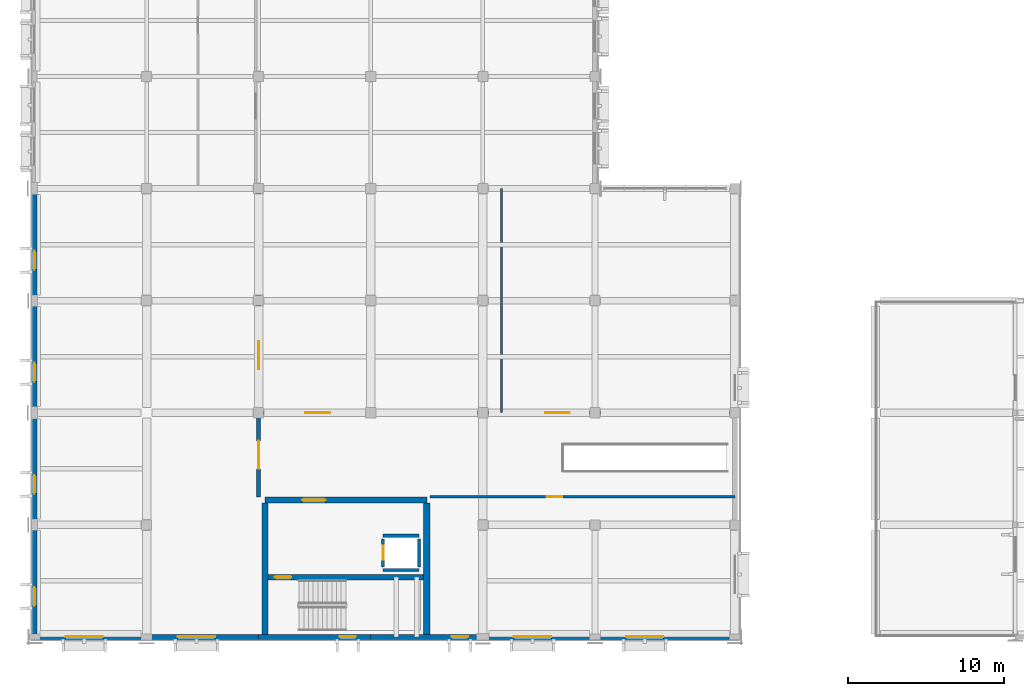
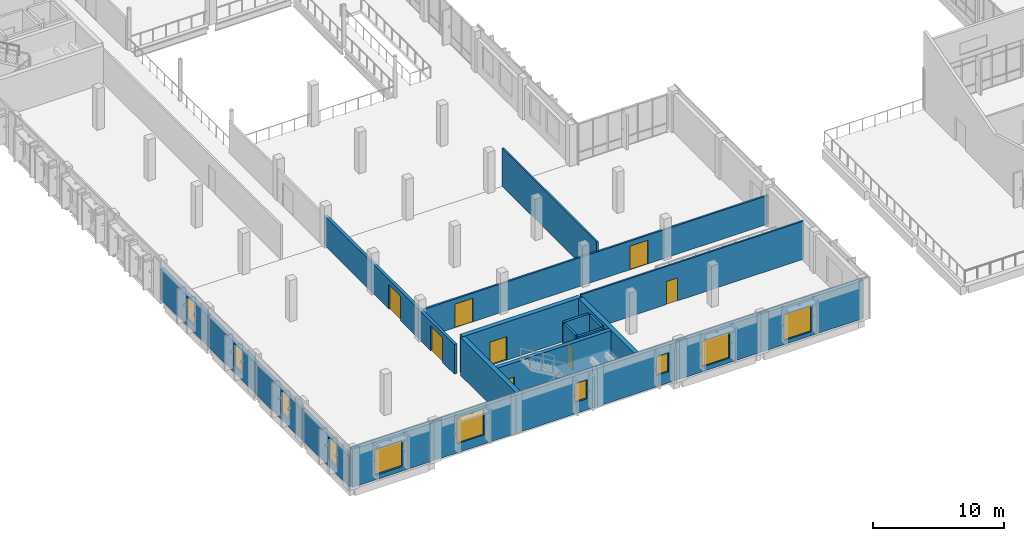
# One storey, part 54 of 85: 22 walls, 10 windows, 8 doors, 18 openings.
"""IFC4 building model written with IfcOpenShell, lengths in metres."""

from ifc_helpers import new_model, si_unit, direction, frame, frame_2d, origin, origin_with_axes, place, context, subcontext, project, spatial, rectangle, extrude, material, layer, layer_set, type_object, element, fill, save


model = new_model("IFC4")

# Units and contexts
model_context = context("Model", 3, precision=1e-05, world=origin(), true_north=direction((0.0, 1.0)))
body_context = subcontext(model_context, "Body", "Model", "MODEL_VIEW")
ifc_project = project(units=[si_unit("LENGTHUNIT", "METRE"), si_unit("AREAUNIT", "SQUARE_METRE"), si_unit("VOLUMEUNIT", "CUBIC_METRE"), si_unit("PLANEANGLEUNIT", "RADIAN"), si_unit("MASSUNIT", "GRAM", prefix="KILO")], contexts=[model_context])

# Site, building, storey
site_placement = place(None, origin())
site = spatial("IfcSite", under=ifc_project, at=site_placement, CompositionType="ELEMENT")
building_placement = place(site_placement, origin())
building = spatial("IfcBuilding", under=site, at=building_placement, Name="Vervanel Yard Central Library", CompositionType="ELEMENT")
storey_placement = place(building_placement, frame((0.0, 0.0, 5.10009765625)))
storey = spatial("IfcBuildingStorey", under=building, at=storey_placement, Name="L01", CompositionType="ELEMENT", Elevation=5.10009765625)

# Wall, openings, doors
ifc_material_1 = material(Name="Concrete C40/50", Category="concrete")
ifc_layer_1 = layer(ifc_material_1, 0.25, Category="concrete")
ifc_layer_set_1 = layer_set([ifc_layer_1], Name="Concrete C40/50")
wall_type_1 = type_object("IfcWallType", Name="Acoustic Auditorium Wall 250", PredefinedType="PARTITIONING", material=ifc_layer_set_1)
wall_1_placement = place(storey_placement, frame((14.39990234375, 9.0, 0.0), z_axis=(0.0, 0.0, 1.0), x_axis=(0.0, 1.0, 0.0)))
wall_1 = element("IfcWall", 1, at=wall_1_placement, inside=storey, type_object=wall_type_1, Name="L01 Acoustic Auditorium Wall 250 IPART-L01-0067", PredefinedType="PARTITIONING", context=body_context, shape_type="SweptSolid", body=[
    extrude(rectangle(XDim=19.800048828125, YDim=0.25, at=frame_2d((9.89990234375, 0.0))), origin(), (0.0, 0.0, 1.0), 2.7548828125),
])
opening_1_placement = place(wall_1_placement, frame((1.800048828125, 0.0, 0.0)))
opening_1 = element("IfcOpeningElement", 2, at=opening_1_placement, cuts=wall_1, Name="Opening DR-05", PredefinedType="OPENING", context=body_context, shape_type="SweptSolid", body=[
    extrude(rectangle(XDim=1.800048828125, YDim=2.300048828125, at=frame_2d((0.89990234375, 1.14990234375))), frame((0.0, 0.135009765625, 0.0), z_axis=(0.0, -1.0, 0.0), x_axis=(1.0, 0.0, 0.0)), (0.0, 0.0, 1.0), 0.27001953125),
])
opening_2_placement = place(wall_1_placement, frame((8.199951171875, 0.0, 0.0)))
opening_2 = element("IfcOpeningElement", 3, at=opening_2_placement, cuts=wall_1, Name="Opening DR-05", PredefinedType="OPENING", context=body_context, shape_type="SweptSolid", body=[
    extrude(rectangle(XDim=1.800048828125, YDim=2.300048828125, at=frame_2d((0.89990234375, 1.14990234375))), frame((0.0, 0.135009765625, 0.0), z_axis=(0.0, -1.0, 0.0), x_axis=(1.0, 0.0, 0.0)), (0.0, 0.0, 1.0), 0.27001953125),
])
ifc_material_2 = material(Name="Solid white oak acoustic joinery", Category="wood")
door_type_1 = type_object("IfcDoorType", Name="Acoustic Auditorium Double Door 1800x2300", OperationType="NOTDEFINED", PredefinedType="DOOR", material=ifc_material_2)
door_1_placement = place(opening_1_placement, origin())
door_1 = element("IfcDoor", 4, at=door_1_placement, inside=storey, type_object=door_type_1, Name="L01 Acoustic Auditorium Double Door 1800x2300 IDOOR-L01-0053", OperationType="DOUBLE_DOOR_SINGLE_SWING", OverallHeight=2.300048828125, OverallWidth=1.800048828125, PredefinedType="DOOR", context=body_context, shape_type="SweptSolid", body=[
    extrude(rectangle(XDim=1.800048828125, YDim=2.300048828125, at=frame_2d((0.89990234375, 1.14990234375))), frame((0.0, 0.02490234375, 0.0), z_axis=(0.0, -1.0, 0.0), x_axis=(1.0, 0.0, 0.0)), (0.0, 0.0, 1.0), 0.050048828125),
])
fill(opening_1, door_1)
door_2_placement = place(opening_2_placement, origin())
door_2 = element("IfcDoor", 5, at=door_2_placement, inside=storey, type_object=door_type_1, Name="L01 Acoustic Auditorium Double Door 1800x2300 IDOOR-L01-0054", OperationType="DOUBLE_DOOR_SINGLE_SWING", OverallHeight=2.300048828125, OverallWidth=1.800048828125, PredefinedType="DOOR", context=body_context, shape_type="SweptSolid", body=[
    extrude(rectangle(XDim=1.800048828125, YDim=2.300048828125, at=frame_2d((0.89990234375, 1.14990234375))), frame((0.0, 0.02490234375, 0.0), z_axis=(0.0, -1.0, 0.0), x_axis=(1.0, 0.0, 0.0)), (0.0, 0.0, 1.0), 0.050048828125),
])
fill(opening_2, door_2)

ifc_material_3 = material(Name="Fire-rated gypsum board on steel studs", Category="steel")
ifc_layer_2 = layer(ifc_material_3, 0.159912109375, Category="steel")
ifc_layer_set_2 = layer_set([ifc_layer_2], Name="Fire-rated gypsum board on steel studs")
wall_type_2 = type_object("IfcWallType", Name="Acoustic Glazed Partition 160", PredefinedType="PARTITIONING", material=ifc_layer_set_2)
wall_2_placement = place(storey_placement, frame((14.60009765625, 14.39990234375, 0.0), z_axis=(0.0, 0.0, 1.0), x_axis=(1.0, 0.0, 0.0)))
wall_2 = element("IfcWall", 6, at=wall_2_placement, inside=storey, type_object=wall_type_2, Name="L01 Acoustic Glazed Partition 160 IPART-L01-0068", PredefinedType="PARTITIONING", context=body_context, shape_type="SweptSolid", body=[
    extrude(rectangle(XDim=30.39990234375, YDim=0.159912109375, at=frame_2d((15.199951171875, 0.0))), origin(), (0.0, 0.0, 1.0), 2.6748046875),
])
opening_3_placement = place(wall_2_placement, frame((2.800048828125, 0.0, 0.0)))
opening_3 = element("IfcOpeningElement", 7, at=opening_3_placement, cuts=wall_2, Name="Opening DR-04", PredefinedType="OPENING", context=body_context, shape_type="SweptSolid", body=[
    extrude(rectangle(XDim=1.60009765625, YDim=2.199951171875, at=frame_2d((0.800048828125, 1.10009765625))), frame((0.0, 0.08984375, 0.0), z_axis=(0.0, -1.0, 0.0), x_axis=(1.0, 0.0, 0.0)), (0.0, 0.0, 1.0), 0.179931640625),
])
opening_4_placement = place(wall_2_placement, frame((18.199951171875, 0.0, 0.0)))
opening_4 = element("IfcOpeningElement", 8, at=opening_4_placement, cuts=wall_2, Name="Opening DR-04", PredefinedType="OPENING", context=body_context, shape_type="SweptSolid", body=[
    extrude(rectangle(XDim=1.60009765625, YDim=2.199951171875, at=frame_2d((0.800048828125, 1.10009765625))), frame((0.0, 0.08984375, 0.0), z_axis=(0.0, -1.0, 0.0), x_axis=(1.0, 0.0, 0.0)), (0.0, 0.0, 1.0), 0.179931640625),
])
door_type_2 = type_object("IfcDoorType", Name="Interior Double Reading Door 1600x2200", OperationType="NOTDEFINED", PredefinedType="DOOR", material=ifc_material_2)
door_3_placement = place(opening_3_placement, origin())
door_3 = element("IfcDoor", 9, at=door_3_placement, inside=storey, type_object=door_type_2, Name="L01 Interior Double Reading Door 1600x2200 IDOOR-L01-0055", OperationType="DOUBLE_DOOR_SINGLE_SWING", OverallHeight=2.199951171875, OverallWidth=1.60009765625, PredefinedType="DOOR", context=body_context, shape_type="SweptSolid", body=[
    extrude(rectangle(XDim=1.60009765625, YDim=2.199951171875, at=frame_2d((0.800048828125, 1.10009765625))), frame((0.0, 0.02490234375, 0.0), z_axis=(0.0, -1.0, 0.0), x_axis=(1.0, 0.0, 0.0)), (0.0, 0.0, 1.0), 0.050048828125),
])
fill(opening_3, door_3)
door_4_placement = place(opening_4_placement, origin())
door_4 = element("IfcDoor", 10, at=door_4_placement, inside=storey, type_object=door_type_2, Name="L01 Interior Double Reading Door 1600x2200 IDOOR-L01-0056", OperationType="DOUBLE_DOOR_SINGLE_SWING", OverallHeight=2.199951171875, OverallWidth=1.60009765625, PredefinedType="DOOR", context=body_context, shape_type="SweptSolid", body=[
    extrude(rectangle(XDim=1.60009765625, YDim=2.199951171875, at=frame_2d((0.800048828125, 1.10009765625))), frame((0.0, 0.02490234375, 0.0), z_axis=(0.0, -1.0, 0.0), x_axis=(1.0, 0.0, 0.0)), (0.0, 0.0, 1.0), 0.050048828125),
])
fill(opening_4, door_4)

# Wall, opening, window
ifc_material_4 = material(Name="Precast concrete C45/55", Category="concrete")
ifc_layer_3 = layer(ifc_material_4, 0.300048828125, Category="concrete")
ifc_layer_set_3 = layer_set([ifc_layer_3], Name="Precast concrete C45/55")
wall_type_3 = type_object("IfcWallType", Name="Bush-Hammered Precast Cladding Wall 300", PredefinedType="SOLIDWALL", material=ifc_layer_set_3)
wall_3_placement = place(storey_placement, frame((0.0, 0.0, 0.0), z_axis=(0.0, 0.0, 1.0), x_axis=(0.0, 1.0, 0.0)))
wall_3 = element("IfcWall", 11, at=wall_3_placement, inside=storey, type_object=wall_type_3, Name="L01 Bush-Hammered Precast Cladding Wall 300 EWALL-L01-0228", PredefinedType="SOLIDWALL", context=body_context, shape_type="SweptSolid", body=[
    extrude(rectangle(XDim=7.199951171875, YDim=0.300048828125, at=frame_2d((3.60009765625, 0.0))), origin(), (0.0, 0.0, 1.0), 2.875),
])
opening_5_placement = place(wall_3_placement, frame((2.0, 0.0, 0.655029296875)))
opening_5 = element("IfcOpeningElement", 12, at=opening_5_placement, cuts=wall_3, Name="Opening WN-01", PredefinedType="OPENING", context=body_context, shape_type="SweptSolid", body=[
    extrude(rectangle(XDim=1.199951171875, YDim=2.10009765625, at=frame_2d((0.60009765625, 1.050048828125))), frame((0.0, 0.159912109375, 0.0), z_axis=(0.0, -1.0, 0.0), x_axis=(1.0, 0.0, 0.0)), (0.0, 0.0, 1.0), 0.320068359375),
])
ifc_material_5 = material(Name="Double low-E laminated solar-control glass", Category="glass")
window_type_1 = type_object("IfcWindowType", Name="Reading Slot Window 1200x2100", PartitioningType="SINGLE_PANEL", PredefinedType="WINDOW", material=ifc_material_5)
window_1_placement = place(opening_5_placement, origin())
window_1 = element("IfcWindow", 13, at=window_1_placement, inside=storey, type_object=window_type_1, Name="L01 Reading Slot Window 1200x2100 292", OverallHeight=2.10009765625, OverallWidth=1.199951171875, PartitioningType="SINGLE_PANEL", PredefinedType="WINDOW", context=body_context, shape_type="SweptSolid", body=[
    extrude(rectangle(XDim=1.199951171875, YDim=2.10009765625, at=frame_2d((0.60009765625, 1.050048828125))), frame((0.0, 0.030029296875, 0.0), z_axis=(0.0, -1.0, 0.0), x_axis=(1.0, 0.0, 0.0)), (0.0, 0.0, 1.0), 0.06005859375),
])
fill(opening_5, window_1)

wall_4_placement = place(storey_placement, frame((0.0, 7.199951171875, 0.0), z_axis=(0.0, 0.0, 1.0), x_axis=(0.0, 1.0, 0.0)))
wall_4 = element("IfcWall", 14, at=wall_4_placement, inside=storey, type_object=wall_type_3, Name="L01 Bush-Hammered Precast Cladding Wall 300 EWALL-L01-0229", PredefinedType="SOLIDWALL", context=body_context, shape_type="SweptSolid", body=[
    extrude(rectangle(XDim=7.199951171875, YDim=0.300048828125, at=frame_2d((3.60009765625, 0.0))), origin(), (0.0, 0.0, 1.0), 2.875),
])
opening_6_placement = place(wall_4_placement, frame((2.0, 0.0, 0.655029296875)))
opening_6 = element("IfcOpeningElement", 15, at=opening_6_placement, cuts=wall_4, Name="Opening WN-01", PredefinedType="OPENING", context=body_context, shape_type="SweptSolid", body=[
    extrude(rectangle(XDim=1.199951171875, YDim=2.10009765625, at=frame_2d((0.60009765625, 1.050048828125))), frame((0.0, 0.159912109375, 0.0), z_axis=(0.0, -1.0, 0.0), x_axis=(1.0, 0.0, 0.0)), (0.0, 0.0, 1.0), 0.320068359375),
])
window_2_placement = place(opening_6_placement, origin())
window_2 = element("IfcWindow", 16, at=window_2_placement, inside=storey, type_object=window_type_1, Name="L01 Reading Slot Window 1200x2100 293", OverallHeight=2.10009765625, OverallWidth=1.199951171875, PartitioningType="SINGLE_PANEL", PredefinedType="WINDOW", context=body_context, shape_type="SweptSolid", body=[
    extrude(rectangle(XDim=1.199951171875, YDim=2.10009765625, at=frame_2d((0.60009765625, 1.050048828125))), frame((0.0, 0.030029296875, 0.0), z_axis=(0.0, -1.0, 0.0), x_axis=(1.0, 0.0, 0.0)), (0.0, 0.0, 1.0), 0.06005859375),
])
fill(opening_6, window_2)

wall_5_placement = place(storey_placement, frame((0.0, 14.39990234375, 0.0), z_axis=(0.0, 0.0, 1.0), x_axis=(0.0, 1.0, 0.0)))
wall_5 = element("IfcWall", 17, at=wall_5_placement, inside=storey, type_object=wall_type_3, Name="L01 Bush-Hammered Precast Cladding Wall 300 EWALL-L01-0230", PredefinedType="SOLIDWALL", context=body_context, shape_type="SweptSolid", body=[
    extrude(rectangle(XDim=7.2001953125, YDim=0.300048828125, at=frame_2d((3.60009765625, 0.0))), origin(), (0.0, 0.0, 1.0), 2.875),
])
opening_7_placement = place(wall_5_placement, frame((2.0, 0.0, 0.655029296875)))
opening_7 = element("IfcOpeningElement", 18, at=opening_7_placement, cuts=wall_5, Name="Opening WN-01", PredefinedType="OPENING", context=body_context, shape_type="SweptSolid", body=[
    extrude(rectangle(XDim=1.199951171875, YDim=2.10009765625, at=frame_2d((0.60009765625, 1.050048828125))), frame((0.0, 0.159912109375, 0.0), z_axis=(0.0, -1.0, 0.0), x_axis=(1.0, 0.0, 0.0)), (0.0, 0.0, 1.0), 0.320068359375),
])
window_3_placement = place(opening_7_placement, origin())
window_3 = element("IfcWindow", 19, at=window_3_placement, inside=storey, type_object=window_type_1, Name="L01 Reading Slot Window 1200x2100 294", OverallHeight=2.10009765625, OverallWidth=1.199951171875, PartitioningType="SINGLE_PANEL", PredefinedType="WINDOW", context=body_context, shape_type="SweptSolid", body=[
    extrude(rectangle(XDim=1.199951171875, YDim=2.10009765625, at=frame_2d((0.60009765625, 1.050048828125))), frame((0.0, 0.030029296875, 0.0), z_axis=(0.0, -1.0, 0.0), x_axis=(1.0, 0.0, 0.0)), (0.0, 0.0, 1.0), 0.06005859375),
])
fill(opening_7, window_3)

wall_6_placement = place(storey_placement, frame((0.0, 21.60009765625, 0.0), z_axis=(0.0, 0.0, 1.0), x_axis=(0.0, 1.0, 0.0)))
wall_6 = element("IfcWall", 20, at=wall_6_placement, inside=storey, type_object=wall_type_3, Name="L01 Bush-Hammered Precast Cladding Wall 300 EWALL-L01-0231", PredefinedType="SOLIDWALL", context=body_context, shape_type="SweptSolid", body=[
    extrude(rectangle(XDim=7.199951171875, YDim=0.300048828125, at=frame_2d((3.60009765625, 0.0))), origin(), (0.0, 0.0, 1.0), 2.90478515625),
])
opening_8_placement = place(wall_6_placement, frame((2.0, 0.0, 0.68505859375)))
opening_8 = element("IfcOpeningElement", 21, at=opening_8_placement, cuts=wall_6, Name="Opening WN-01", PredefinedType="OPENING", context=body_context, shape_type="SweptSolid", body=[
    extrude(rectangle(XDim=1.199951171875, YDim=2.10009765625, at=frame_2d((0.60009765625, 1.050048828125))), frame((0.0, 0.159912109375, 0.0), z_axis=(0.0, -1.0, 0.0), x_axis=(1.0, 0.0, 0.0)), (0.0, 0.0, 1.0), 0.320068359375),
])
window_4_placement = place(opening_8_placement, origin())
window_4 = element("IfcWindow", 22, at=window_4_placement, inside=storey, type_object=window_type_1, Name="L01 Reading Slot Window 1200x2100 295", OverallHeight=2.10009765625, OverallWidth=1.199951171875, PartitioningType="SINGLE_PANEL", PredefinedType="WINDOW", context=body_context, shape_type="SweptSolid", body=[
    extrude(rectangle(XDim=1.199951171875, YDim=2.10009765625, at=frame_2d((0.60009765625, 1.050048828125))), frame((0.0, 0.030029296875, 0.0), z_axis=(0.0, -1.0, 0.0), x_axis=(1.0, 0.0, 0.0)), (0.0, 0.0, 1.0), 0.06005859375),
])
fill(opening_8, window_4)

# Wall, opening, door
ifc_material_6 = material(Name="Concrete C45/55", Category="concrete")
ifc_layer_4 = layer(ifc_material_6, 0.39990234375, Category="concrete")
ifc_layer_set_4 = layer_set([ifc_layer_4], Name="Concrete C45/55")
wall_type_4 = type_object("IfcWallType", Name="Core Primary Shear Wall 400", PredefinedType="SHEAR", material=ifc_layer_set_4)
wall_7_placement = place(storey_placement, frame((14.800048828125, 8.800048828125, 0.0), z_axis=(0.0, 0.0, 1.0), x_axis=(1.0, 0.0, 0.0)))
wall_7 = element("IfcWall", 23, at=wall_7_placement, inside=storey, type_object=wall_type_4, Name="L01 CORE-D Shear Wall N", PredefinedType="SHEAR", context=body_context, shape_type="SweptSolid", body=[
    extrude(rectangle(XDim=10.39990234375, YDim=0.39990234375, at=frame_2d((5.199951171875, 0.0))), origin(), (0.0, 0.0, 1.0), 3.5498046875),
])
opening_9_placement = place(wall_7_placement, frame((2.39990234375, 0.0, 0.0)))
opening_9 = element("IfcOpeningElement", 24, at=opening_9_placement, cuts=wall_7, Name="Opening DR-F02", PredefinedType="OPENING", context=body_context, shape_type="SweptSolid", body=[
    extrude(rectangle(XDim=1.5, YDim=2.199951171875, at=frame_2d((0.75, 1.10009765625))), frame((0.0, 0.2099609375, 0.0), z_axis=(0.0, -1.0, 0.0), x_axis=(1.0, 0.0, 0.0)), (0.0, 0.0, 1.0), 0.419921875),
])
ifc_material_7 = material(Name="Galvanized painted steelwork ASTM A500 Grade C", Category="steel")
door_type_3 = type_object("IfcDoorType", Name="Fire-Rated Lobby Door 1500x2200", OperationType="NOTDEFINED", PredefinedType="DOOR", material=ifc_material_7)
door_5_placement = place(opening_9_placement, origin())
door_5 = element("IfcDoor", 25, at=door_5_placement, inside=storey, type_object=door_type_3, Name="L01 CORE-D Lobby Fire Door", OperationType="DOUBLE_DOOR_SINGLE_SWING", OverallHeight=2.199951171875, OverallWidth=1.5, PredefinedType="DOOR", context=body_context, shape_type="SweptSolid", body=[
    extrude(rectangle(XDim=1.5, YDim=2.199951171875, at=frame_2d((0.75, 1.10009765625))), frame((0.0, 0.02490234375, 0.0), z_axis=(0.0, -1.0, 0.0), x_axis=(1.0, 0.0, 0.0)), (0.0, 0.0, 1.0), 0.050048828125),
])
fill(opening_9, door_5)

# Walls
for number, where, z_axis, x_axis, name in (
    (26, (14.800048828125, 0.169921875, 0.0), (0.0, 0.0, 1.0), (0.0, 1.0, 0.0), "L01 CORE-D Shear Wall W"),
    (27, (25.199951171875, 0.169921875, 0.0), (0.0, 0.0, 1.0), (0.0, 1.0, 0.0), "L01 CORE-D Shear Wall E"),
):
    element("IfcWall", number, at=place(storey_placement, frame(where, z_axis=z_axis, x_axis=x_axis)), inside=storey, type_object=wall_type_4, Name=name, PredefinedType="SHEAR", context=body_context, shape_type="SweptSolid", body=[
        extrude(rectangle(XDim=8.43017578125, YDim=0.39990234375, at=frame_2d((4.215087890625, 0.0))), origin(), (0.0, 0.0, 1.0), 3.5498046875),
    ])

# Wall, opening, door
ifc_layer_5 = layer(ifc_material_6, 0.35009765625, Category="concrete")
ifc_layer_set_5 = layer_set([ifc_layer_5], Name="Concrete C45/55")
wall_type_5 = type_object("IfcWallType", Name="Core Secondary Shear Wall 350", PredefinedType="SHEAR", material=ifc_layer_set_5)
wall_8_placement = place(storey_placement, frame((15.0, 3.8349609375, 0.0), z_axis=(0.0, 0.0, 1.0), x_axis=(1.0, 0.0, 0.0)))
wall_8 = element("IfcWall", 28, at=wall_8_placement, inside=storey, type_object=wall_type_5, Name="L01 CORE-D Stair Shaft Wall", PredefinedType="SHEAR", context=body_context, shape_type="SweptSolid", body=[
    extrude(rectangle(XDim=10.0, YDim=0.35009765625, at=frame_2d((5.0, 0.0))), origin(), (0.0, 0.0, 1.0), 3.5498046875),
])
opening_10_placement = place(wall_8_placement, frame((0.449951171875, 0.0, 0.0)))
opening_10 = element("IfcOpeningElement", 29, at=opening_10_placement, cuts=wall_8, Name="Opening DR-F01", PredefinedType="OPENING", context=body_context, shape_type="SweptSolid", body=[
    extrude(rectangle(XDim=1.050048828125, YDim=2.199951171875, at=frame_2d((0.52490234375, 1.10009765625))), frame((0.0, 0.18505859375, 0.0), z_axis=(0.0, -1.0, 0.0), x_axis=(1.0, 0.0, 0.0)), (0.0, 0.0, 1.0), 0.3701171875),
])
door_type_4 = type_object("IfcDoorType", Name="Fire-Rated Stair Exit Door 1050x2200", OperationType="NOTDEFINED", PredefinedType="DOOR", material=ifc_material_7)
door_6_placement = place(opening_10_placement, origin())
door_6 = element("IfcDoor", 30, at=door_6_placement, inside=storey, type_object=door_type_4, Name="L01 CORE-D Stair Door", OperationType="SINGLE_SWING_RIGHT", OverallHeight=2.199951171875, OverallWidth=1.050048828125, PredefinedType="DOOR", context=body_context, shape_type="SweptSolid", body=[
    extrude(rectangle(XDim=1.050048828125, YDim=2.199951171875, at=frame_2d((0.52490234375, 1.10009765625))), frame((0.0, 0.02490234375, 0.0), z_axis=(0.0, -1.0, 0.0), x_axis=(1.0, 0.0, 0.0)), (0.0, 0.0, 1.0), 0.050048828125),
])
fill(opening_10, door_6)

# Wall, opening, window
ifc_layer_6 = layer(ifc_material_6, 0.340087890625, Category="concrete")
ifc_layer_set_6 = layer_set([ifc_layer_6], Name="Concrete C45/55")
wall_type_6 = type_object("IfcWallType", Name="Exterior Bearing Concrete Frame Wall 340", PredefinedType="SOLIDWALL", material=ifc_layer_set_6)
wall_9_placement = place(storey_placement, origin_with_axes())
wall_9 = element("IfcWall", 31, at=wall_9_placement, inside=storey, type_object=wall_type_6, Name="L01 Exterior Bearing Concrete Frame Wall 340 EWALL-L01-0222", PredefinedType="SOLIDWALL", context=body_context, shape_type="SweptSolid", body=[
    extrude(rectangle(XDim=7.199951171875, YDim=0.340087890625, at=frame_2d((3.60009765625, 0.0))), origin(), (0.0, 0.0, 1.0), 3.5498046875),
])
opening_11_placement = place(wall_9_placement, frame((2.0, 0.0, 0.43505859375)))
opening_11 = element("IfcOpeningElement", 32, at=opening_11_placement, cuts=wall_9, Name="Opening WN-09", PredefinedType="OPENING", context=body_context, shape_type="SweptSolid", body=[
    extrude(rectangle(XDim=2.39990234375, YDim=2.39990234375, at=frame_2d((1.199951171875, 1.199951171875))), frame((0.0, 0.179931640625, 0.0), z_axis=(0.0, -1.0, 0.0), x_axis=(1.0, 0.0, 0.0)), (0.0, 0.0, 1.0), 0.360107421875),
])
window_type_2 = type_object("IfcWindowType", Name="Maker Workshop Window 2400x2400", PartitioningType="SINGLE_PANEL", PredefinedType="WINDOW", material=ifc_material_5)
window_5_placement = place(opening_11_placement, origin())
window_5 = element("IfcWindow", 33, at=window_5_placement, inside=storey, type_object=window_type_2, Name="L01 Maker Workshop Window 2400x2400 286", OverallHeight=2.39990234375, OverallWidth=2.39990234375, PartitioningType="SINGLE_PANEL", PredefinedType="WINDOW", context=body_context, shape_type="SweptSolid", body=[
    extrude(rectangle(XDim=2.39990234375, YDim=2.39990234375, at=frame_2d((1.199951171875, 1.199951171875))), frame((0.0, 0.030029296875, 0.0), z_axis=(0.0, -1.0, 0.0), x_axis=(1.0, 0.0, 0.0)), (0.0, 0.0, 1.0), 0.06005859375),
])
fill(opening_11, window_5)

wall_10_placement = place(storey_placement, frame((7.199951171875, 0.0, 0.0), z_axis=(0.0, 0.0, 1.0), x_axis=(1.0, 0.0, 0.0)))
wall_10 = element("IfcWall", 34, at=wall_10_placement, inside=storey, type_object=wall_type_6, Name="L01 Exterior Bearing Concrete Frame Wall 340 EWALL-L01-0223", PredefinedType="SOLIDWALL", context=body_context, shape_type="SweptSolid", body=[
    extrude(rectangle(XDim=7.199951171875, YDim=0.340087890625, at=frame_2d((3.60009765625, 0.0))), origin(), (0.0, 0.0, 1.0), 3.5498046875),
])
opening_12_placement = place(wall_10_placement, frame((2.0, 0.0, 0.85009765625)))
opening_12 = element("IfcOpeningElement", 35, at=opening_12_placement, cuts=wall_10, Name="Opening WN-09", PredefinedType="OPENING", context=body_context, shape_type="SweptSolid", body=[
    extrude(rectangle(XDim=2.39990234375, YDim=2.39990234375, at=frame_2d((1.199951171875, 1.199951171875))), frame((0.0, 0.179931640625, 0.0), z_axis=(0.0, -1.0, 0.0), x_axis=(1.0, 0.0, 0.0)), (0.0, 0.0, 1.0), 0.360107421875),
])
window_6_placement = place(opening_12_placement, origin())
window_6 = element("IfcWindow", 36, at=window_6_placement, inside=storey, type_object=window_type_2, Name="L01 Maker Workshop Window 2400x2400 287", OverallHeight=2.39990234375, OverallWidth=2.39990234375, PartitioningType="SINGLE_PANEL", PredefinedType="WINDOW", context=body_context, shape_type="SweptSolid", body=[
    extrude(rectangle(XDim=2.39990234375, YDim=2.39990234375, at=frame_2d((1.199951171875, 1.199951171875))), frame((0.0, 0.030029296875, 0.0), z_axis=(0.0, -1.0, 0.0), x_axis=(1.0, 0.0, 0.0)), (0.0, 0.0, 1.0), 0.06005859375),
])
fill(opening_12, window_6)

wall_11_placement = place(storey_placement, frame((14.39990234375, 0.0, 0.0), z_axis=(0.0, 0.0, 1.0), x_axis=(1.0, 0.0, 0.0)))
wall_11 = element("IfcWall", 37, at=wall_11_placement, inside=storey, type_object=wall_type_6, Name="L01 Exterior Bearing Concrete Frame Wall 340 EWALL-L01-0224", PredefinedType="SOLIDWALL", context=body_context, shape_type="SweptSolid", body=[
    extrude(rectangle(XDim=7.2001953125, YDim=0.340087890625, at=frame_2d((3.60009765625, 0.0))), origin(), (0.0, 0.0, 1.0), 3.5498046875),
])
opening_13_placement = place(wall_11_placement, frame((5.199951171875, 0.0, 1.050048828125)))
opening_13 = element("IfcOpeningElement", 38, at=opening_13_placement, cuts=wall_11, Name="Opening WN-16", PredefinedType="OPENING", context=body_context, shape_type="SweptSolid", body=[
    extrude(rectangle(XDim=1.050048828125, YDim=1.75, at=frame_2d((0.52490234375, 0.875))), frame((0.0, 0.179931640625, 0.0), z_axis=(0.0, -1.0, 0.0), x_axis=(1.0, 0.0, 0.0)), (0.0, 0.0, 1.0), 0.360107421875),
])
window_type_3 = type_object("IfcWindowType", Name="Study Carrel Punch Window 1050x1750", PartitioningType="SINGLE_PANEL", PredefinedType="WINDOW", material=ifc_material_5)
window_7_placement = place(opening_13_placement, origin())
window_7 = element("IfcWindow", 39, at=window_7_placement, inside=storey, type_object=window_type_3, Name="L01 Study Carrel Punch Window 1050x1750 288", OverallHeight=1.75, OverallWidth=1.050048828125, PartitioningType="SINGLE_PANEL", PredefinedType="WINDOW", context=body_context, shape_type="SweptSolid", body=[
    extrude(rectangle(XDim=1.050048828125, YDim=1.75, at=frame_2d((0.52490234375, 0.875))), frame((0.0, 0.030029296875, 0.0), z_axis=(0.0, -1.0, 0.0), x_axis=(1.0, 0.0, 0.0)), (0.0, 0.0, 1.0), 0.06005859375),
])
fill(opening_13, window_7)

wall_12_placement = place(storey_placement, frame((21.60009765625, 0.0, 0.0), z_axis=(0.0, 0.0, 1.0), x_axis=(1.0, 0.0, 0.0)))
wall_12 = element("IfcWall", 40, at=wall_12_placement, inside=storey, type_object=wall_type_6, Name="L01 Exterior Bearing Concrete Frame Wall 340 EWALL-L01-0225", PredefinedType="SOLIDWALL", context=body_context, shape_type="SweptSolid", body=[
    extrude(rectangle(XDim=7.199951171875, YDim=0.340087890625, at=frame_2d((3.60009765625, 0.0))), origin(), (0.0, 0.0, 1.0), 3.5498046875),
])
opening_14_placement = place(wall_12_placement, frame((5.199951171875, 0.0, 1.050048828125)))
opening_14 = element("IfcOpeningElement", 41, at=opening_14_placement, cuts=wall_12, Name="Opening WN-16", PredefinedType="OPENING", context=body_context, shape_type="SweptSolid", body=[
    extrude(rectangle(XDim=1.050048828125, YDim=1.75, at=frame_2d((0.52490234375, 0.875))), frame((0.0, 0.179931640625, 0.0), z_axis=(0.0, -1.0, 0.0), x_axis=(1.0, 0.0, 0.0)), (0.0, 0.0, 1.0), 0.360107421875),
])
window_8_placement = place(opening_14_placement, origin())
window_8 = element("IfcWindow", 42, at=window_8_placement, inside=storey, type_object=window_type_3, Name="L01 Study Carrel Punch Window 1050x1750 289", OverallHeight=1.75, OverallWidth=1.050048828125, PartitioningType="SINGLE_PANEL", PredefinedType="WINDOW", context=body_context, shape_type="SweptSolid", body=[
    extrude(rectangle(XDim=1.050048828125, YDim=1.75, at=frame_2d((0.52490234375, 0.875))), frame((0.0, 0.030029296875, 0.0), z_axis=(0.0, -1.0, 0.0), x_axis=(1.0, 0.0, 0.0)), (0.0, 0.0, 1.0), 0.06005859375),
])
fill(opening_14, window_8)

wall_13_placement = place(storey_placement, frame((28.800048828125, 0.0, 0.0), z_axis=(0.0, 0.0, 1.0), x_axis=(1.0, 0.0, 0.0)))
wall_13 = element("IfcWall", 43, at=wall_13_placement, inside=storey, type_object=wall_type_6, Name="L01 Exterior Bearing Concrete Frame Wall 340 EWALL-L01-0226", PredefinedType="SOLIDWALL", context=body_context, shape_type="SweptSolid", body=[
    extrude(rectangle(XDim=7.199951171875, YDim=0.340087890625, at=frame_2d((3.60009765625, 0.0))), origin(), (0.0, 0.0, 1.0), 3.5498046875),
])
opening_15_placement = place(wall_13_placement, frame((2.0, 0.0, 0.43505859375)))
opening_15 = element("IfcOpeningElement", 44, at=opening_15_placement, cuts=wall_13, Name="Opening WN-09", PredefinedType="OPENING", context=body_context, shape_type="SweptSolid", body=[
    extrude(rectangle(XDim=2.39990234375, YDim=2.39990234375, at=frame_2d((1.199951171875, 1.199951171875))), frame((0.0, 0.179931640625, 0.0), z_axis=(0.0, -1.0, 0.0), x_axis=(1.0, 0.0, 0.0)), (0.0, 0.0, 1.0), 0.360107421875),
])
window_9_placement = place(opening_15_placement, origin())
window_9 = element("IfcWindow", 45, at=window_9_placement, inside=storey, type_object=window_type_2, Name="L01 Maker Workshop Window 2400x2400 290", OverallHeight=2.39990234375, OverallWidth=2.39990234375, PartitioningType="SINGLE_PANEL", PredefinedType="WINDOW", context=body_context, shape_type="SweptSolid", body=[
    extrude(rectangle(XDim=2.39990234375, YDim=2.39990234375, at=frame_2d((1.199951171875, 1.199951171875))), frame((0.0, 0.030029296875, 0.0), z_axis=(0.0, -1.0, 0.0), x_axis=(1.0, 0.0, 0.0)), (0.0, 0.0, 1.0), 0.06005859375),
])
fill(opening_15, window_9)

wall_14_placement = place(storey_placement, frame((36.0, 0.0, 0.0), z_axis=(0.0, 0.0, 1.0), x_axis=(1.0, 0.0, 0.0)))
wall_14 = element("IfcWall", 46, at=wall_14_placement, inside=storey, type_object=wall_type_6, Name="L01 Exterior Bearing Concrete Frame Wall 340 EWALL-L01-0227", PredefinedType="SOLIDWALL", context=body_context, shape_type="SweptSolid", body=[
    extrude(rectangle(XDim=9.0, YDim=0.340087890625, at=frame_2d((4.5, 0.0))), origin(), (0.0, 0.0, 1.0), 3.5498046875),
])
opening_16_placement = place(wall_14_placement, frame((2.0, 0.0, 0.375)))
opening_16 = element("IfcOpeningElement", 47, at=opening_16_placement, cuts=wall_14, Name="Opening WN-09", PredefinedType="OPENING", context=body_context, shape_type="SweptSolid", body=[
    extrude(rectangle(XDim=2.39990234375, YDim=2.39990234375, at=frame_2d((1.199951171875, 1.199951171875))), frame((0.0, 0.179931640625, 0.0), z_axis=(0.0, -1.0, 0.0), x_axis=(1.0, 0.0, 0.0)), (0.0, 0.0, 1.0), 0.360107421875),
])
window_10_placement = place(opening_16_placement, origin())
window_10 = element("IfcWindow", 48, at=window_10_placement, inside=storey, type_object=window_type_2, Name="L01 Maker Workshop Window 2400x2400 291", OverallHeight=2.39990234375, OverallWidth=2.39990234375, PartitioningType="SINGLE_PANEL", PredefinedType="WINDOW", context=body_context, shape_type="SweptSolid", body=[
    extrude(rectangle(XDim=2.39990234375, YDim=2.39990234375, at=frame_2d((1.199951171875, 1.199951171875))), frame((0.0, 0.030029296875, 0.0), z_axis=(0.0, -1.0, 0.0), x_axis=(1.0, 0.0, 0.0)), (0.0, 0.0, 1.0), 0.06005859375),
])
fill(opening_16, window_10)

# Wall
ifc_layer_7 = layer(ifc_material_3, 0.14990234375, Category="steel")
ifc_layer_set_7 = layer_set([ifc_layer_7], Name="Fire-rated gypsum board on steel studs")
wall_type_7 = type_object("IfcWallType", Name="Interior Partition 150", PredefinedType="PARTITIONING", material=ifc_layer_set_7)
wall_15_placement = place(storey_placement, frame((30.0, 14.39990234375, 0.0), z_axis=(0.0, 0.0, 1.0), x_axis=(0.0, 1.0, 0.0)))
element("IfcWall", 49, at=wall_15_placement, inside=storey, type_object=wall_type_7, Name="L01 Interior Partition 150 IPART-L01-0069", PredefinedType="PARTITIONING", context=body_context, shape_type="SweptSolid", body=[
    extrude(rectangle(XDim=14.400146484375, YDim=0.14990234375, at=frame_2d((7.2001953125, 0.0))), origin(), (0.0, 0.0, 1.0), 3.5498046875),
])

# Wall, opening, door
wall_16_placement = place(storey_placement, frame((25.39990234375, 9.0, 0.0), z_axis=(0.0, 0.0, 1.0), x_axis=(1.0, 0.0, 0.0)))
wall_16 = element("IfcWall", 50, at=wall_16_placement, inside=storey, type_object=wall_type_7, Name="L01 Interior Partition 150 IPART-L01-0070", PredefinedType="PARTITIONING", context=body_context, shape_type="SweptSolid", body=[
    extrude(rectangle(XDim=19.60009765625, YDim=0.14990234375, at=frame_2d((9.800048828125, 0.0))), origin(), (0.0, 0.0, 1.0), 3.5498046875),
])
opening_17_placement = place(wall_16_placement, frame((7.5, 0.0, 0.0)))
opening_17 = element("IfcOpeningElement", 51, at=opening_17_placement, cuts=wall_16, Name="Opening DR-01", PredefinedType="OPENING", context=body_context, shape_type="SweptSolid", body=[
    extrude(rectangle(XDim=1.0, YDim=2.14990234375, at=frame_2d((0.5, 1.074951171875))), frame((0.0, 0.0849609375, 0.0), z_axis=(0.0, -1.0, 0.0), x_axis=(1.0, 0.0, 0.0)), (0.0, 0.0, 1.0), 0.169921875),
])
door_type_5 = type_object("IfcDoorType", Name="Interior Single Door 1000x2150", OperationType="NOTDEFINED", PredefinedType="DOOR", material=ifc_material_2)
door_7_placement = place(opening_17_placement, origin())
door_7 = element("IfcDoor", 52, at=door_7_placement, inside=storey, type_object=door_type_5, Name="L01 Interior Single Door 1000x2150 IDOOR-L01-0057", OperationType="SINGLE_SWING_LEFT", OverallHeight=2.14990234375, OverallWidth=1.0, PredefinedType="DOOR", context=body_context, shape_type="SweptSolid", body=[
    extrude(rectangle(XDim=1.0, YDim=2.14990234375, at=frame_2d((0.5, 1.074951171875))), frame((0.0, 0.02490234375, 0.0), z_axis=(0.0, -1.0, 0.0), x_axis=(1.0, 0.0, 0.0)), (0.0, 0.0, 1.0), 0.050048828125),
])
fill(opening_17, door_7)

# Walls
ifc_layer_8 = layer(ifc_material_1, 0.199951171875, Category="concrete")
ifc_layer_set_8 = layer_set([ifc_layer_8], Name="Concrete C40/50")
wall_type_8 = type_object("IfcWallType", Name="Shaft & Plant Rated Wall 200", PredefinedType="PARTITIONING", material=ifc_layer_set_8)
for number, where, z_axis, x_axis, name in (
    (53, (22.39990234375, 4.300048828125, 0.0), (0.0, 0.0, 1.0), (1.0, 0.0, 0.0), "L01 CORE-D-L01-RIS Shaft Wall S"),
    (54, (22.39990234375, 6.5, 0.0), (0.0, 0.0, 1.0), (1.0, 0.0, 0.0), "L01 CORE-D-L01-RIS Shaft Wall N"),
):
    element("IfcWall", number, at=place(storey_placement, frame(where, z_axis=z_axis, x_axis=x_axis)), inside=storey, type_object=wall_type_8, Name=name, PredefinedType="PARTITIONING", context=body_context, shape_type="SweptSolid", body=[
        extrude(rectangle(XDim=2.300048828125, YDim=0.199951171875, at=frame_2d((1.14990234375, 0.0))), origin(), (0.0, 0.0, 1.0), 3.5498046875),
    ])

# Wall, opening, door
wall_17_placement = place(storey_placement, frame((22.39990234375, 4.5, 0.0), z_axis=(0.0, 0.0, 1.0), x_axis=(0.0, 1.0, 0.0)))
wall_17 = element("IfcWall", 55, at=wall_17_placement, inside=storey, type_object=wall_type_8, Name="L01 CORE-D-L01-RIS Shaft Wall W", PredefinedType="PARTITIONING", context=body_context, shape_type="SweptSolid", body=[
    extrude(rectangle(XDim=1.800048828125, YDim=0.199951171875, at=frame_2d((0.89990234375, 0.0))), origin(), (0.0, 0.0, 1.0), 3.5498046875),
])
opening_18_placement = place(wall_17_placement, frame((0.449951171875, 0.0, 0.0)))
opening_18 = element("IfcOpeningElement", 56, at=opening_18_placement, cuts=wall_17, Name="Opening DR-03", PredefinedType="OPENING", context=body_context, shape_type="SweptSolid", body=[
    extrude(rectangle(XDim=0.89990234375, YDim=2.10009765625, at=frame_2d((0.449951171875, 1.050048828125))), frame((0.0, 0.10986328125, 0.0), z_axis=(0.0, -1.0, 0.0), x_axis=(1.0, 0.0, 0.0)), (0.0, 0.0, 1.0), 0.219970703125),
])
door_type_6 = type_object("IfcDoorType", Name="Interior Riser Access Door 900x2100", OperationType="NOTDEFINED", PredefinedType="DOOR", material=ifc_material_7)
door_8_placement = place(opening_18_placement, origin())
door_8 = element("IfcDoor", 57, at=door_8_placement, inside=storey, type_object=door_type_6, Name="L01 CORE-D Riser Access Door", OperationType="SINGLE_SWING_LEFT", OverallHeight=2.10009765625, OverallWidth=0.89990234375, PredefinedType="DOOR", context=body_context, shape_type="SweptSolid", body=[
    extrude(rectangle(XDim=0.89990234375, YDim=2.10009765625, at=frame_2d((0.449951171875, 1.050048828125))), frame((0.0, 0.02490234375, 0.0), z_axis=(0.0, -1.0, 0.0), x_axis=(1.0, 0.0, 0.0)), (0.0, 0.0, 1.0), 0.050048828125),
])
fill(opening_18, door_8)

# Wall
wall_18_placement = place(storey_placement, frame((24.699951171875, 4.5, 0.0), z_axis=(0.0, 0.0, 1.0), x_axis=(0.0, 1.0, 0.0)))
element("IfcWall", 58, at=wall_18_placement, inside=storey, type_object=wall_type_8, Name="L01 CORE-D-L01-RIS Shaft Wall E", PredefinedType="PARTITIONING", context=body_context, shape_type="SweptSolid", body=[
    extrude(rectangle(XDim=1.800048828125, YDim=0.199951171875, at=frame_2d((0.89990234375, 0.0))), origin(), (0.0, 0.0, 1.0), 3.5498046875),
])

save(model, "model.ifc")
